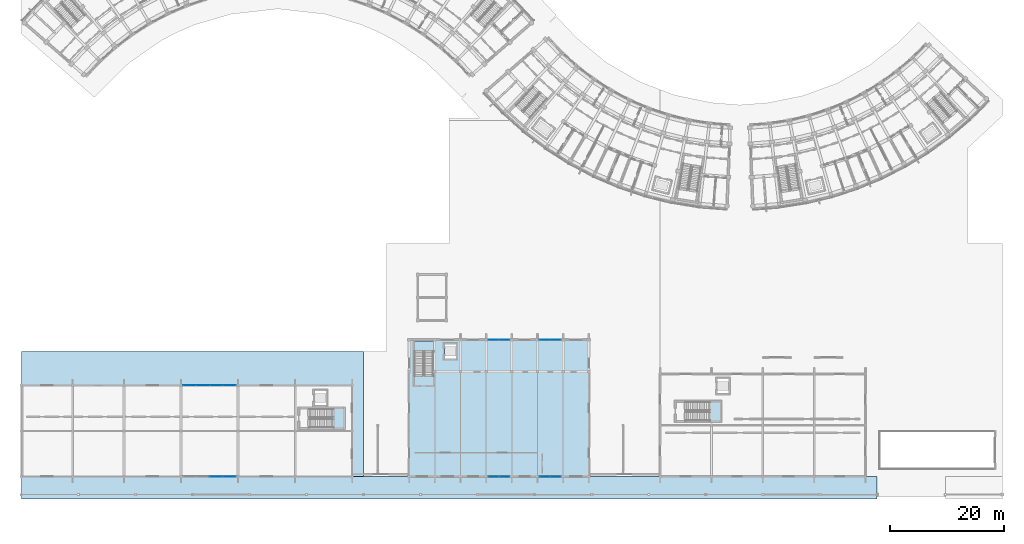
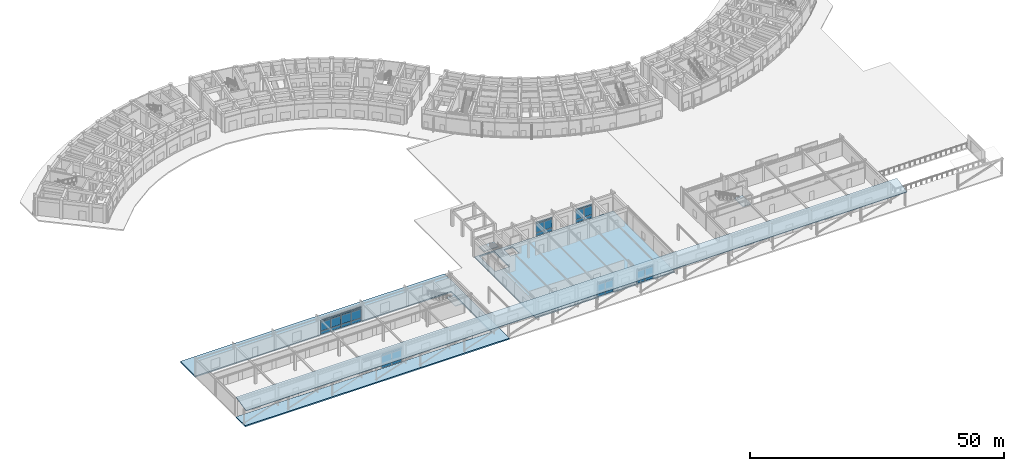
# One storey, part 20 of 61: 42 plates, 6 slabs, 9 elements without a shape of their own.
"""IFC4 building model written with IfcOpenShell, lengths in metres."""

from ifc_helpers import new_model, si_unit, direction, frame, origin, origin_2d, place, context, subcontext, project, spatial, polyline, rectangle, outline, extrude, material, layer, layer_set, type_object, element, aggregate, save


model = new_model("IFC4")

# Units and contexts
model_context = context("Model", 3, precision=1e-05, world=origin(), true_north=direction((0.0, 1.0)))
body_context = subcontext(model_context, "Body", "Model", "MODEL_VIEW")
ifc_project = project(units=[si_unit("LENGTHUNIT", "METRE"), si_unit("AREAUNIT", "SQUARE_METRE"), si_unit("VOLUMEUNIT", "CUBIC_METRE"), si_unit("PLANEANGLEUNIT", "RADIAN"), si_unit("MASSUNIT", "GRAM", prefix="KILO")], contexts=[model_context])

# Site, building, storey
site_placement = place(None, origin())
site = spatial("IfcSite", under=ifc_project, at=site_placement, CompositionType="ELEMENT")
building_placement = place(site_placement, origin())
building = spatial("IfcBuilding", under=site, at=building_placement, Name="Zimvara Arc Housing Community", CompositionType="ELEMENT")
storey_placement = place(building_placement, origin())
storey = spatial("IfcBuildingStorey", under=building, at=storey_placement, Name="L00", CompositionType="ELEMENT", Elevation=0.0)

# Curtain wall, plates
ifc_material_1 = material(Name="Anodised Aluminium AW-6063", Category="aluminium")
curtain_wall_type_1 = type_object("IfcCurtainWallType", Name="CW-SYS-08", PredefinedType="USERDEFINED", material=ifc_material_1)
curtain_wall_1_placement = place(storey_placement, origin())
curtain_wall_1 = element("IfcCurtainWall", 1, at=curtain_wall_1_placement, inside=storey, type_object=curtain_wall_type_1, Name="cw:hall:L00:south:b5", ObjectType="CURTAIN WALL", PredefinedType="USERDEFINED")
ifc_material_2 = material(Name="Pale-Gold Anodised Aluminium Spandrel Panel", Category="aluminium")
ifc_layer_1 = layer(ifc_material_2, 0.035888671875)
ifc_layer_set_1 = layer_set([ifc_layer_1], Name="Pale-Gold Anodised Aluminium Spandrel Panel")
plate_type_1 = type_object("IfcPlateType", Name="CWP-GLD-36", PredefinedType="CURTAIN_PANEL", material=ifc_layer_set_1)
plate_1_placement = place(storey_placement, frame((91.8212890625, 3.60009765625, 0.06494140625), z_axis=(0.0, 0.0, 1.0), x_axis=(1.0, 0.0, 0.0)))
plate_1 = element("IfcPlate", 2, at=plate_1_placement, type_object=plate_type_1, Name="CW08 panel 1.1", PredefinedType="CURTAIN_PANEL", context=body_context, shape_type="SweptSolid", body=[
    extrude(rectangle(XDim=1.79248046875, YDim=0.035888671875, at=origin_2d()), origin(), (0.0, 0.0, 1.0), 0.75244140625),
])
plate_2_placement = place(storey_placement, frame((91.8212890625, 3.60009765625, 0.88232421875), z_axis=(0.0, 0.0, 1.0), x_axis=(1.0, 0.0, 0.0)))
plate_2 = element("IfcPlate", 3, at=plate_2_placement, type_object=plate_type_1, Name="CW08 panel 1.2", PredefinedType="CURTAIN_PANEL", context=body_context, shape_type="SweptSolid", body=[
    extrude(rectangle(XDim=1.79248046875, YDim=0.035888671875, at=origin_2d()), origin(), (0.0, 0.0, 1.0), 2.135009765625),
])
plate_3_placement = place(storey_placement, frame((91.8212890625, 3.60009765625, 3.08251953125), z_axis=(0.0, 0.0, 1.0), x_axis=(1.0, 0.0, 0.0)))
plate_3 = element("IfcPlate", 4, at=plate_3_placement, type_object=plate_type_1, Name="CW08 panel 1.3", PredefinedType="CURTAIN_PANEL", context=body_context, shape_type="SweptSolid", body=[
    extrude(rectangle(XDim=1.79248046875, YDim=0.035888671875, at=origin_2d()), origin(), (0.0, 0.0, 1.0), 0.3525390625),
])
plate_4_placement = place(storey_placement, frame((93.6787109375, 3.60009765625, 0.06494140625), z_axis=(0.0, 0.0, 1.0), x_axis=(1.0, 0.0, 0.0)))
plate_4 = element("IfcPlate", 5, at=plate_4_placement, type_object=plate_type_1, Name="CW08 panel 2.1", PredefinedType="CURTAIN_PANEL", context=body_context, shape_type="SweptSolid", body=[
    extrude(rectangle(XDim=1.79248046875, YDim=0.035888671875, at=origin_2d()), origin(), (0.0, 0.0, 1.0), 0.75244140625),
])
plate_5_placement = place(storey_placement, frame((93.6787109375, 3.60009765625, 0.88232421875), z_axis=(0.0, 0.0, 1.0), x_axis=(1.0, 0.0, 0.0)))
plate_5 = element("IfcPlate", 6, at=plate_5_placement, type_object=plate_type_1, Name="CW08 panel 2.2", PredefinedType="CURTAIN_PANEL", context=body_context, shape_type="SweptSolid", body=[
    extrude(rectangle(XDim=1.79248046875, YDim=0.035888671875, at=origin_2d()), origin(), (0.0, 0.0, 1.0), 2.135009765625),
])
plate_6_placement = place(storey_placement, frame((93.6787109375, 3.60009765625, 3.08251953125), z_axis=(0.0, 0.0, 1.0), x_axis=(1.0, 0.0, 0.0)))
plate_6 = element("IfcPlate", 7, at=plate_6_placement, type_object=plate_type_1, Name="CW08 panel 2.3", PredefinedType="CURTAIN_PANEL", context=body_context, shape_type="SweptSolid", body=[
    extrude(rectangle(XDim=1.79248046875, YDim=0.035888671875, at=origin_2d()), origin(), (0.0, 0.0, 1.0), 0.3525390625),
])
aggregate(curtain_wall_1, [plate_1, plate_2, plate_3, plate_4, plate_5, plate_6])

ifc_material_3 = material(Name="Anodised Aluminium AW-6063", Category="aluminium")
curtain_wall_type_2 = type_object("IfcCurtainWallType", Name="CW-SYS-01", PredefinedType="USERDEFINED", material=ifc_material_3)
curtain_wall_2_placement = place(storey_placement, origin())
curtain_wall_2 = element("IfcCurtainWall", 8, at=curtain_wall_2_placement, inside=storey, type_object=curtain_wall_type_2, Name="cw:hall:L00:north:b3", ObjectType="CURTAIN WALL", PredefinedType="USERDEFINED")
ifc_material_4 = material(Name="Solar Control Low-E Double Glazing", Category="glass")
ifc_layer_2 = layer(ifc_material_4, 0.02392578125)
ifc_layer_set_2 = layer_set([ifc_layer_2], Name="Solar Control Low-E Double Glazing")
plate_type_2 = type_object("IfcPlateType", Name="CWP-GLZ-24", PredefinedType="CURTAIN_PANEL", material=ifc_layer_set_2)
plate_7_placement = place(storey_placement, frame((82.8212890625, 27.60009765625, 0.06494140625), z_axis=(0.0, 0.0, 1.0), x_axis=(1.0, 0.0, 0.0)))
plate_7 = element("IfcPlate", 9, at=plate_7_placement, type_object=plate_type_2, Name="CW01 panel 1.1", PredefinedType="CURTAIN_PANEL", context=body_context, shape_type="SweptSolid", body=[
    extrude(rectangle(XDim=1.79248046875, YDim=0.02392578125, at=origin_2d()), origin(), (0.0, 0.0, 1.0), 0.75244140625),
])
plate_8_placement = place(storey_placement, frame((82.8212890625, 27.60009765625, 0.88232421875), z_axis=(0.0, 0.0, 1.0), x_axis=(1.0, 0.0, 0.0)))
plate_8 = element("IfcPlate", 10, at=plate_8_placement, type_object=plate_type_2, Name="CW01 panel 1.2", PredefinedType="CURTAIN_PANEL", context=body_context, shape_type="SweptSolid", body=[
    extrude(rectangle(XDim=1.79248046875, YDim=0.02392578125, at=origin_2d()), origin(), (0.0, 0.0, 1.0), 2.135009765625),
])
plate_9_placement = place(storey_placement, frame((82.8212890625, 27.60009765625, 3.08251953125), z_axis=(0.0, 0.0, 1.0), x_axis=(1.0, 0.0, 0.0)))
plate_9 = element("IfcPlate", 11, at=plate_9_placement, type_object=plate_type_2, Name="CW01 panel 1.3", PredefinedType="CURTAIN_PANEL", context=body_context, shape_type="SweptSolid", body=[
    extrude(rectangle(XDim=1.79248046875, YDim=0.02392578125, at=origin_2d()), origin(), (0.0, 0.0, 1.0), 0.3525390625),
])
plate_10_placement = place(storey_placement, frame((84.6787109375, 27.60009765625, 0.06494140625), z_axis=(0.0, 0.0, 1.0), x_axis=(1.0, 0.0, 0.0)))
plate_10 = element("IfcPlate", 12, at=plate_10_placement, type_object=plate_type_2, Name="CW01 panel 2.1", PredefinedType="CURTAIN_PANEL", context=body_context, shape_type="SweptSolid", body=[
    extrude(rectangle(XDim=1.79248046875, YDim=0.02392578125, at=origin_2d()), origin(), (0.0, 0.0, 1.0), 0.75244140625),
])
plate_11_placement = place(storey_placement, frame((84.6787109375, 27.60009765625, 0.88232421875), z_axis=(0.0, 0.0, 1.0), x_axis=(1.0, 0.0, 0.0)))
plate_11 = element("IfcPlate", 13, at=plate_11_placement, type_object=plate_type_2, Name="CW01 panel 2.2", PredefinedType="CURTAIN_PANEL", context=body_context, shape_type="SweptSolid", body=[
    extrude(rectangle(XDim=1.79248046875, YDim=0.02392578125, at=origin_2d()), origin(), (0.0, 0.0, 1.0), 2.135009765625),
])
plate_12_placement = place(storey_placement, frame((84.6787109375, 27.60009765625, 3.08251953125), z_axis=(0.0, 0.0, 1.0), x_axis=(1.0, 0.0, 0.0)))
plate_12 = element("IfcPlate", 14, at=plate_12_placement, type_object=plate_type_2, Name="CW01 panel 2.3", PredefinedType="CURTAIN_PANEL", context=body_context, shape_type="SweptSolid", body=[
    extrude(rectangle(XDim=1.79248046875, YDim=0.02392578125, at=origin_2d()), origin(), (0.0, 0.0, 1.0), 0.3525390625),
])
aggregate(curtain_wall_2, [plate_7, plate_8, plate_9, plate_10, plate_11, plate_12])

ifc_material_5 = material(Name="Anodised Aluminium AW-6063", Category="aluminium")
curtain_wall_type_3 = type_object("IfcCurtainWallType", Name="CW-SYS-05", PredefinedType="USERDEFINED", material=ifc_material_5)
curtain_wall_3_placement = place(storey_placement, origin())
curtain_wall_3 = element("IfcCurtainWall", 15, at=curtain_wall_3_placement, inside=storey, type_object=curtain_wall_type_3, Name="cw:shops:L00:south:b3", ObjectType="CURTAIN WALL", PredefinedType="USERDEFINED")
plate_13_placement = place(storey_placement, frame((34.159912109375, 3.60009765625, 0.06494140625), z_axis=(0.0, 0.0, 1.0), x_axis=(1.0, 0.0, 0.0)))
plate_13 = element("IfcPlate", 16, at=plate_13_placement, type_object=plate_type_2, Name="CW05 panel 3.1", PredefinedType="CURTAIN_PANEL", context=body_context, shape_type="SweptSolid", body=[
    extrude(rectangle(XDim=2.2548828125, YDim=0.02392578125, at=origin_2d()), origin(), (0.0, 0.0, 1.0), 0.75244140625),
])
plate_14_placement = place(storey_placement, frame((34.159912109375, 3.60009765625, 0.88232421875), z_axis=(0.0, 0.0, 1.0), x_axis=(1.0, 0.0, 0.0)))
plate_14 = element("IfcPlate", 17, at=plate_14_placement, type_object=plate_type_2, Name="CW05 panel 3.2", PredefinedType="CURTAIN_PANEL", context=body_context, shape_type="SweptSolid", body=[
    extrude(rectangle(XDim=2.2548828125, YDim=0.02392578125, at=origin_2d()), origin(), (0.0, 0.0, 1.0), 2.135009765625),
])
plate_15_placement = place(storey_placement, frame((34.159912109375, 3.60009765625, 3.08251953125), z_axis=(0.0, 0.0, 1.0), x_axis=(1.0, 0.0, 0.0)))
plate_15 = element("IfcPlate", 18, at=plate_15_placement, type_object=plate_type_2, Name="CW05 panel 3.3", PredefinedType="CURTAIN_PANEL", context=body_context, shape_type="SweptSolid", body=[
    extrude(rectangle(XDim=2.2548828125, YDim=0.02392578125, at=origin_2d()), origin(), (0.0, 0.0, 1.0), 0.3525390625),
])
plate_16_placement = place(storey_placement, frame((36.4638671875, 3.60009765625, 0.06494140625), z_axis=(0.0, 0.0, 1.0), x_axis=(1.0, 0.0, 0.0)))
plate_16 = element("IfcPlate", 19, at=plate_16_placement, type_object=plate_type_2, Name="CW05 panel 4.1", PredefinedType="CURTAIN_PANEL", context=body_context, shape_type="SweptSolid", body=[
    extrude(rectangle(XDim=2.222412109375, YDim=0.02392578125, at=origin_2d()), origin(), (0.0, 0.0, 1.0), 0.75244140625),
])
plate_17_placement = place(storey_placement, frame((36.4638671875, 3.60009765625, 0.88232421875), z_axis=(0.0, 0.0, 1.0), x_axis=(1.0, 0.0, 0.0)))
plate_17 = element("IfcPlate", 20, at=plate_17_placement, type_object=plate_type_2, Name="CW05 panel 4.2", PredefinedType="CURTAIN_PANEL", context=body_context, shape_type="SweptSolid", body=[
    extrude(rectangle(XDim=2.222412109375, YDim=0.02392578125, at=origin_2d()), origin(), (0.0, 0.0, 1.0), 2.135009765625),
])
plate_18_placement = place(storey_placement, frame((36.4638671875, 3.60009765625, 3.08251953125), z_axis=(0.0, 0.0, 1.0), x_axis=(1.0, 0.0, 0.0)))
plate_18 = element("IfcPlate", 21, at=plate_18_placement, type_object=plate_type_2, Name="CW05 panel 4.3", PredefinedType="CURTAIN_PANEL", context=body_context, shape_type="SweptSolid", body=[
    extrude(rectangle(XDim=2.222412109375, YDim=0.02392578125, at=origin_2d()), origin(), (0.0, 0.0, 1.0), 0.3525390625),
])
aggregate(curtain_wall_3, [plate_13, plate_14, plate_15, plate_16, plate_17, plate_18])

ifc_material_6 = material(Name="Anodised Aluminium AW-6063", Category="aluminium")
curtain_wall_type_4 = type_object("IfcCurtainWallType", Name="CW-SYS-02", PredefinedType="USERDEFINED", material=ifc_material_6)
curtain_wall_4_placement = place(storey_placement, origin())
curtain_wall_4 = element("IfcCurtainWall", 22, at=curtain_wall_4_placement, inside=storey, type_object=curtain_wall_type_4, Name="cw:hall:L00:north:b5", ObjectType="CURTAIN WALL", PredefinedType="USERDEFINED")
ifc_material_7 = material(Name="Solar Control Low-E Double Glazing", Category="glass")
ifc_layer_3 = layer(ifc_material_7, 0.028076171875)
ifc_layer_set_3 = layer_set([ifc_layer_3], Name="Solar Control Low-E Double Glazing")
plate_type_3 = type_object("IfcPlateType", Name="CWP-GLZ-28", PredefinedType="CURTAIN_PANEL", material=ifc_layer_set_3)
plate_19_placement = place(storey_placement, frame((91.8212890625, 27.60009765625, 0.06494140625), z_axis=(0.0, 0.0, 1.0), x_axis=(1.0, 0.0, 0.0)))
plate_19 = element("IfcPlate", 23, at=plate_19_placement, type_object=plate_type_3, Name="CW02 panel 1.1", PredefinedType="CURTAIN_PANEL", context=body_context, shape_type="SweptSolid", body=[
    extrude(rectangle(XDim=1.79248046875, YDim=0.028076171875, at=origin_2d()), origin(), (0.0, 0.0, 1.0), 0.75244140625),
])
plate_20_placement = place(storey_placement, frame((91.8212890625, 27.60009765625, 0.88232421875), z_axis=(0.0, 0.0, 1.0), x_axis=(1.0, 0.0, 0.0)))
plate_20 = element("IfcPlate", 24, at=plate_20_placement, type_object=plate_type_3, Name="CW02 panel 1.2", PredefinedType="CURTAIN_PANEL", context=body_context, shape_type="SweptSolid", body=[
    extrude(rectangle(XDim=1.79248046875, YDim=0.028076171875, at=origin_2d()), origin(), (0.0, 0.0, 1.0), 2.135009765625),
])
plate_21_placement = place(storey_placement, frame((91.8212890625, 27.60009765625, 3.08251953125), z_axis=(0.0, 0.0, 1.0), x_axis=(1.0, 0.0, 0.0)))
plate_21 = element("IfcPlate", 25, at=plate_21_placement, type_object=plate_type_3, Name="CW02 panel 1.3", PredefinedType="CURTAIN_PANEL", context=body_context, shape_type="SweptSolid", body=[
    extrude(rectangle(XDim=1.79248046875, YDim=0.028076171875, at=origin_2d()), origin(), (0.0, 0.0, 1.0), 0.3525390625),
])
plate_22_placement = place(storey_placement, frame((93.6787109375, 27.60009765625, 0.06494140625), z_axis=(0.0, 0.0, 1.0), x_axis=(1.0, 0.0, 0.0)))
plate_22 = element("IfcPlate", 26, at=plate_22_placement, type_object=plate_type_3, Name="CW02 panel 2.1", PredefinedType="CURTAIN_PANEL", context=body_context, shape_type="SweptSolid", body=[
    extrude(rectangle(XDim=1.79248046875, YDim=0.028076171875, at=origin_2d()), origin(), (0.0, 0.0, 1.0), 0.75244140625),
])
plate_23_placement = place(storey_placement, frame((93.6787109375, 27.60009765625, 0.88232421875), z_axis=(0.0, 0.0, 1.0), x_axis=(1.0, 0.0, 0.0)))
plate_23 = element("IfcPlate", 27, at=plate_23_placement, type_object=plate_type_3, Name="CW02 panel 2.2", PredefinedType="CURTAIN_PANEL", context=body_context, shape_type="SweptSolid", body=[
    extrude(rectangle(XDim=1.79248046875, YDim=0.028076171875, at=origin_2d()), origin(), (0.0, 0.0, 1.0), 2.135009765625),
])
plate_24_placement = place(storey_placement, frame((93.6787109375, 27.60009765625, 3.08251953125), z_axis=(0.0, 0.0, 1.0), x_axis=(1.0, 0.0, 0.0)))
plate_24 = element("IfcPlate", 28, at=plate_24_placement, type_object=plate_type_3, Name="CW02 panel 2.3", PredefinedType="CURTAIN_PANEL", context=body_context, shape_type="SweptSolid", body=[
    extrude(rectangle(XDim=1.79248046875, YDim=0.028076171875, at=origin_2d()), origin(), (0.0, 0.0, 1.0), 0.3525390625),
])
aggregate(curtain_wall_4, [plate_19, plate_20, plate_21, plate_22, plate_23, plate_24])

ifc_material_8 = material(Name="Anodised Aluminium AW-6063", Category="aluminium")
curtain_wall_type_5 = type_object("IfcCurtainWallType", Name="CW-SYS-06", PredefinedType="USERDEFINED", material=ifc_material_8)
curtain_wall_5_placement = place(storey_placement, origin())
curtain_wall_5 = element("IfcCurtainWall", 29, at=curtain_wall_5_placement, inside=storey, type_object=curtain_wall_type_5, Name="cw:shops:L00:north:b3", ObjectType="CURTAIN WALL", PredefinedType="USERDEFINED")
plate_25_placement = place(storey_placement, frame((29.5361328125, 19.60009765625, 0.06494140625), z_axis=(0.0, 0.0, 1.0), x_axis=(1.0, 0.0, 0.0)))
plate_25 = element("IfcPlate", 30, at=plate_25_placement, type_object=plate_type_3, Name="CW06 panel 1.1", PredefinedType="CURTAIN_PANEL", context=body_context, shape_type="SweptSolid", body=[
    extrude(rectangle(XDim=2.222412109375, YDim=0.028076171875, at=origin_2d()), origin(), (0.0, 0.0, 1.0), 0.75244140625),
])
plate_26_placement = place(storey_placement, frame((29.5361328125, 19.60009765625, 0.88232421875), z_axis=(0.0, 0.0, 1.0), x_axis=(1.0, 0.0, 0.0)))
plate_26 = element("IfcPlate", 31, at=plate_26_placement, type_object=plate_type_3, Name="CW06 panel 1.2", PredefinedType="CURTAIN_PANEL", context=body_context, shape_type="SweptSolid", body=[
    extrude(rectangle(XDim=2.222412109375, YDim=0.028076171875, at=origin_2d()), origin(), (0.0, 0.0, 1.0), 2.135009765625),
])
plate_27_placement = place(storey_placement, frame((29.5361328125, 19.60009765625, 3.08251953125), z_axis=(0.0, 0.0, 1.0), x_axis=(1.0, 0.0, 0.0)))
plate_27 = element("IfcPlate", 32, at=plate_27_placement, type_object=plate_type_3, Name="CW06 panel 1.3", PredefinedType="CURTAIN_PANEL", context=body_context, shape_type="SweptSolid", body=[
    extrude(rectangle(XDim=2.222412109375, YDim=0.028076171875, at=origin_2d()), origin(), (0.0, 0.0, 1.0), 0.3525390625),
])
plate_28_placement = place(storey_placement, frame((31.840087890625, 19.60009765625, 0.06494140625), z_axis=(0.0, 0.0, 1.0), x_axis=(1.0, 0.0, 0.0)))
plate_28 = element("IfcPlate", 33, at=plate_28_placement, type_object=plate_type_3, Name="CW06 panel 2.1", PredefinedType="CURTAIN_PANEL", context=body_context, shape_type="SweptSolid", body=[
    extrude(rectangle(XDim=2.2548828125, YDim=0.028076171875, at=origin_2d()), origin(), (0.0, 0.0, 1.0), 0.75244140625),
])
plate_29_placement = place(storey_placement, frame((31.840087890625, 19.60009765625, 0.88232421875), z_axis=(0.0, 0.0, 1.0), x_axis=(1.0, 0.0, 0.0)))
plate_29 = element("IfcPlate", 34, at=plate_29_placement, type_object=plate_type_3, Name="CW06 panel 2.2", PredefinedType="CURTAIN_PANEL", context=body_context, shape_type="SweptSolid", body=[
    extrude(rectangle(XDim=2.2548828125, YDim=0.028076171875, at=origin_2d()), origin(), (0.0, 0.0, 1.0), 2.135009765625),
])
plate_30_placement = place(storey_placement, frame((31.840087890625, 19.60009765625, 3.08251953125), z_axis=(0.0, 0.0, 1.0), x_axis=(1.0, 0.0, 0.0)))
plate_30 = element("IfcPlate", 35, at=plate_30_placement, type_object=plate_type_3, Name="CW06 panel 2.3", PredefinedType="CURTAIN_PANEL", context=body_context, shape_type="SweptSolid", body=[
    extrude(rectangle(XDim=2.2548828125, YDim=0.028076171875, at=origin_2d()), origin(), (0.0, 0.0, 1.0), 0.3525390625),
])
plate_31_placement = place(storey_placement, frame((34.159912109375, 19.60009765625, 0.06494140625), z_axis=(0.0, 0.0, 1.0), x_axis=(1.0, 0.0, 0.0)))
plate_31 = element("IfcPlate", 36, at=plate_31_placement, type_object=plate_type_3, Name="CW06 panel 3.1", PredefinedType="CURTAIN_PANEL", context=body_context, shape_type="SweptSolid", body=[
    extrude(rectangle(XDim=2.2548828125, YDim=0.028076171875, at=origin_2d()), origin(), (0.0, 0.0, 1.0), 0.75244140625),
])
plate_32_placement = place(storey_placement, frame((34.159912109375, 19.60009765625, 0.88232421875), z_axis=(0.0, 0.0, 1.0), x_axis=(1.0, 0.0, 0.0)))
plate_32 = element("IfcPlate", 37, at=plate_32_placement, type_object=plate_type_3, Name="CW06 panel 3.2", PredefinedType="CURTAIN_PANEL", context=body_context, shape_type="SweptSolid", body=[
    extrude(rectangle(XDim=2.2548828125, YDim=0.028076171875, at=origin_2d()), origin(), (0.0, 0.0, 1.0), 2.135009765625),
])
plate_33_placement = place(storey_placement, frame((34.159912109375, 19.60009765625, 3.08251953125), z_axis=(0.0, 0.0, 1.0), x_axis=(1.0, 0.0, 0.0)))
plate_33 = element("IfcPlate", 38, at=plate_33_placement, type_object=plate_type_3, Name="CW06 panel 3.3", PredefinedType="CURTAIN_PANEL", context=body_context, shape_type="SweptSolid", body=[
    extrude(rectangle(XDim=2.2548828125, YDim=0.028076171875, at=origin_2d()), origin(), (0.0, 0.0, 1.0), 0.3525390625),
])
plate_34_placement = place(storey_placement, frame((36.4638671875, 19.60009765625, 0.06494140625), z_axis=(0.0, 0.0, 1.0), x_axis=(1.0, 0.0, 0.0)))
plate_34 = element("IfcPlate", 39, at=plate_34_placement, type_object=plate_type_3, Name="CW06 panel 4.1", PredefinedType="CURTAIN_PANEL", context=body_context, shape_type="SweptSolid", body=[
    extrude(rectangle(XDim=2.222412109375, YDim=0.028076171875, at=origin_2d()), origin(), (0.0, 0.0, 1.0), 0.75244140625),
])
plate_35_placement = place(storey_placement, frame((36.4638671875, 19.60009765625, 0.88232421875), z_axis=(0.0, 0.0, 1.0), x_axis=(1.0, 0.0, 0.0)))
plate_35 = element("IfcPlate", 40, at=plate_35_placement, type_object=plate_type_3, Name="CW06 panel 4.2", PredefinedType="CURTAIN_PANEL", context=body_context, shape_type="SweptSolid", body=[
    extrude(rectangle(XDim=2.222412109375, YDim=0.028076171875, at=origin_2d()), origin(), (0.0, 0.0, 1.0), 2.135009765625),
])
plate_36_placement = place(storey_placement, frame((36.4638671875, 19.60009765625, 3.08251953125), z_axis=(0.0, 0.0, 1.0), x_axis=(1.0, 0.0, 0.0)))
plate_36 = element("IfcPlate", 41, at=plate_36_placement, type_object=plate_type_3, Name="CW06 panel 4.3", PredefinedType="CURTAIN_PANEL", context=body_context, shape_type="SweptSolid", body=[
    extrude(rectangle(XDim=2.222412109375, YDim=0.028076171875, at=origin_2d()), origin(), (0.0, 0.0, 1.0), 0.3525390625),
])
aggregate(curtain_wall_5, [plate_25, plate_26, plate_27, plate_28, plate_29, plate_30, plate_31, plate_32, plate_33, plate_34, plate_35, plate_36])

ifc_material_9 = material(Name="Anodised Aluminium AW-6063", Category="aluminium")
curtain_wall_type_6 = type_object("IfcCurtainWallType", Name="CW-SYS-07", PredefinedType="USERDEFINED", material=ifc_material_9)
curtain_wall_6_placement = place(storey_placement, origin())
curtain_wall_6 = element("IfcCurtainWall", 42, at=curtain_wall_6_placement, inside=storey, type_object=curtain_wall_type_6, Name="cw:hall:L00:south:b3", ObjectType="CURTAIN WALL", PredefinedType="USERDEFINED")
ifc_material_10 = material(Name="Acoustic Laminated Solar Glazing", Category="glass")
ifc_layer_4 = layer(ifc_material_10, 0.031982421875)
ifc_layer_set_4 = layer_set([ifc_layer_4], Name="Acoustic Laminated Solar Glazing")
plate_type_4 = type_object("IfcPlateType", Name="CWP-GLZ-32", PredefinedType="CURTAIN_PANEL", material=ifc_layer_set_4)
plate_37_placement = place(storey_placement, frame((82.8212890625, 3.60009765625, 0.06494140625), z_axis=(0.0, 0.0, 1.0), x_axis=(1.0, 0.0, 0.0)))
plate_37 = element("IfcPlate", 43, at=plate_37_placement, type_object=plate_type_4, Name="CW07 panel 1.1", PredefinedType="CURTAIN_PANEL", context=body_context, shape_type="SweptSolid", body=[
    extrude(rectangle(XDim=1.79248046875, YDim=0.031982421875, at=origin_2d()), origin(), (0.0, 0.0, 1.0), 0.75244140625),
])
plate_38_placement = place(storey_placement, frame((82.8212890625, 3.60009765625, 0.88232421875), z_axis=(0.0, 0.0, 1.0), x_axis=(1.0, 0.0, 0.0)))
plate_38 = element("IfcPlate", 44, at=plate_38_placement, type_object=plate_type_4, Name="CW07 panel 1.2", PredefinedType="CURTAIN_PANEL", context=body_context, shape_type="SweptSolid", body=[
    extrude(rectangle(XDim=1.79248046875, YDim=0.031982421875, at=origin_2d()), origin(), (0.0, 0.0, 1.0), 2.135009765625),
])
plate_39_placement = place(storey_placement, frame((82.8212890625, 3.60009765625, 3.08251953125), z_axis=(0.0, 0.0, 1.0), x_axis=(1.0, 0.0, 0.0)))
plate_39 = element("IfcPlate", 45, at=plate_39_placement, type_object=plate_type_4, Name="CW07 panel 1.3", PredefinedType="CURTAIN_PANEL", context=body_context, shape_type="SweptSolid", body=[
    extrude(rectangle(XDim=1.79248046875, YDim=0.031982421875, at=origin_2d()), origin(), (0.0, 0.0, 1.0), 0.3525390625),
])
plate_40_placement = place(storey_placement, frame((84.6787109375, 3.60009765625, 0.06494140625), z_axis=(0.0, 0.0, 1.0), x_axis=(1.0, 0.0, 0.0)))
plate_40 = element("IfcPlate", 46, at=plate_40_placement, type_object=plate_type_4, Name="CW07 panel 2.1", PredefinedType="CURTAIN_PANEL", context=body_context, shape_type="SweptSolid", body=[
    extrude(rectangle(XDim=1.79248046875, YDim=0.031982421875, at=origin_2d()), origin(), (0.0, 0.0, 1.0), 0.75244140625),
])
plate_41_placement = place(storey_placement, frame((84.6787109375, 3.60009765625, 0.88232421875), z_axis=(0.0, 0.0, 1.0), x_axis=(1.0, 0.0, 0.0)))
plate_41 = element("IfcPlate", 47, at=plate_41_placement, type_object=plate_type_4, Name="CW07 panel 2.2", PredefinedType="CURTAIN_PANEL", context=body_context, shape_type="SweptSolid", body=[
    extrude(rectangle(XDim=1.79248046875, YDim=0.031982421875, at=origin_2d()), origin(), (0.0, 0.0, 1.0), 2.135009765625),
])
plate_42_placement = place(storey_placement, frame((84.6787109375, 3.60009765625, 3.08251953125), z_axis=(0.0, 0.0, 1.0), x_axis=(1.0, 0.0, 0.0)))
plate_42 = element("IfcPlate", 48, at=plate_42_placement, type_object=plate_type_4, Name="CW07 panel 2.3", PredefinedType="CURTAIN_PANEL", context=body_context, shape_type="SweptSolid", body=[
    extrude(rectangle(XDim=1.79248046875, YDim=0.031982421875, at=origin_2d()), origin(), (0.0, 0.0, 1.0), 0.3525390625),
])
aggregate(curtain_wall_6, [plate_37, plate_38, plate_39, plate_40, plate_41, plate_42])

# Slabs
ifc_material_11 = material(Name="Concrete C40/50", Category="concrete")
ifc_layer_5 = layer(ifc_material_11, 0.1650390625)
ifc_layer_set_5 = layer_set([ifc_layer_5], Name="Concrete C40/50")
slab_type_1 = type_object("IfcSlabType", Name="SLB-COL-ROOF-165", PredefinedType="ROOF", material=ifc_layer_set_5)
slab_1_placement = place(storey_placement, frame((0.0, -0.35009765625, 3.820068359375), z_axis=(0.0, -0.217415880045, 0.976079061913), x_axis=(1.0, 0.0, 0.0)))
element("IfcSlab", 49, at=slab_1_placement, inside=storey, type_object=slab_type_1, Name="roof:colonnade:s1", PredefinedType="ROOF", context=body_context, shape_type="SweptSolid", body=[
    extrude(outline(polyline([(0.0, 0.0), (150.0, 0.0), (150.0, 4.047003431012862), (0.0, 4.047003431012862), (0.0, 0.0)])), origin(), (0.0, 0.0, -1.0), 0.1650390625),
])
ifc_material_12 = material(Name="Concrete C40/50", Category="concrete")
ifc_layer_6 = layer(ifc_material_12, 0.300048828125)
ifc_layer_set_6 = layer_set([ifc_layer_6], Name="Concrete C40/50")
slab_type_2 = type_object("IfcSlabType", Name="SLB-POD-300", PredefinedType="FLOOR", material=ifc_layer_set_6)
slab_2_placement = place(storey_placement, frame((0.0, 0.0, -0.300048828125)))
element("IfcSlab", 50, at=slab_2_placement, inside=storey, type_object=slab_type_2, Name="slab:hall:L00:floor", PredefinedType="FLOOR", context=body_context, shape_type="SweptSolid", body=[
    extrude(outline(polyline([(68.0, 3.60009765625), (99.5, 3.60009765625), (99.5, 27.60009765625), (68.0, 27.60009765625), (68.0, 3.60009765625)]), holes=[polyline([(68.93994140625, 21.22998046875), (68.93994140625, 27.35009765625), (72.219970703125, 27.35009765625), (72.219970703125, 21.22998046875), (68.93994140625, 21.22998046875)]), polyline([(74.199951171875, 26.840087890625), (76.239990234375, 26.840087890625), (76.239990234375, 24.300048828125), (74.199951171875, 24.300048828125), (74.199951171875, 26.840087890625)])]), origin(), (0.0, 0.0, 1.0), 0.300048828125),
])
slab_3_placement = place(storey_placement, frame((0.0, 0.0, -0.300048828125)))
element("IfcSlab", 51, at=slab_3_placement, inside=storey, type_object=slab_type_2, Name="slab:L00:plaza:1", PredefinedType="FLOOR", context=body_context, shape_type="SweptSolid", body=[
    extrude(outline(polyline([(59.989990234375, 0.0), (59.989990234375, 25.5), (0.0, 25.5), (0.0, 19.6201171875), (58.0, 19.6201171875), (58.001953125, 19.619873046875), (58.00390625, 19.61962890625), (58.005859375, 19.619140625), (58.007568359375, 19.618408203125), (58.009521484375, 19.61767578125), (58.01123046875, 19.61669921875), (58.0126953125, 19.615478515625), (58.01416015625, 19.6142578125), (58.015380859375, 19.61279296875), (58.0166015625, 19.611083984375), (58.017578125, 19.609375), (58.0185546875, 19.607666015625), (58.01904296875, 19.605712890625), (58.01953125, 19.60400390625), (58.02001953125, 19.60205078125), (58.02001953125, 19.60009765625), (58.02001953125, 3.60009765625), (58.02001953125, 3.59814453125), (58.01953125, 3.59619140625), (58.01904296875, 3.59423828125), (58.0185546875, 3.59228515625), (58.017578125, 3.590576171875), (58.0166015625, 3.5888671875), (58.015380859375, 3.58740234375), (58.01416015625, 3.5859375), (58.0126953125, 3.58447265625), (58.01123046875, 3.583251953125), (58.009521484375, 3.582275390625), (58.007568359375, 3.58154296875), (58.005859375, 3.580810546875), (58.00390625, 3.580322265625), (58.001953125, 3.580078125), (58.0, 3.580078125), (0.0, 3.580078125), (0.0, 0.0), (59.989990234375, 0.0)])), origin(), (0.0, 0.0, 1.0), 0.300048828125),
])

# Stair, slab
ifc_material_13 = material(Name="Concrete C35/45", Category="concrete")
stair_type_1 = type_object("IfcStairType", Name="STR-DL-310-450", PredefinedType="HALF_TURN_STAIR", material=ifc_material_13)
stair_1_placement = place(storey_placement, origin())
stair_1 = element("IfcStair", 52, at=stair_1_placement, inside=storey, type_object=stair_type_1, Name="L00 Community Hall Stair ST-H1", PredefinedType="HALF_TURN_STAIR")
ifc_material_14 = material(Name="Concrete C35/45", Category="concrete")
ifc_layer_7 = layer(ifc_material_14, 0.199951171875)
ifc_layer_set_7 = layer_set([ifc_layer_7], Name="Concrete C35/45")
slab_type_3 = type_object("IfcSlabType", Name="SLB-STAIR-LND-200", PredefinedType="LANDING", material=ifc_layer_set_7)
slab_4_placement = place(storey_placement, frame((0.0, 0.0, 2.050048828125)))
slab_4 = element("IfcSlab", 53, at=slab_4_placement, type_object=slab_type_3, Name="ST-H1 landing 1", PredefinedType="LANDING", context=body_context, shape_type="SweptSolid", body=[
    extrude(outline(polyline([(72.260009765625, 25.530029296875), (72.260009765625, 27.389892578125), (68.89990234375, 27.389892578125), (68.89990234375, 25.530029296875), (72.260009765625, 25.530029296875)])), origin(), (0.0, 0.0, 1.0), 0.199951171875),
])
aggregate(stair_1, [slab_4])

ifc_material_15 = material(Name="Concrete C35/45", Category="concrete")
stair_type_2 = type_object("IfcStairType", Name="STR-DL-312-450", PredefinedType="HALF_TURN_STAIR", material=ifc_material_15)
stair_2_placement = place(storey_placement, origin())
stair_2 = element("IfcStair", 54, at=stair_2_placement, inside=storey, type_object=stair_type_2, Name="L00 Nursery Stair ST-N1", PredefinedType="HALF_TURN_STAIR")
slab_5_placement = place(storey_placement, frame((0.0, 0.0, 2.050048828125)))
slab_5 = element("IfcSlab", 55, at=slab_5_placement, type_object=slab_type_3, Name="ST-N1 landing 1", PredefinedType="LANDING", context=body_context, shape_type="SweptSolid", body=[
    extrude(outline(polyline([(120.7080078125, 13.360107421875), (122.5400390625, 13.360107421875), (122.5400390625, 16.719970703125), (120.7080078125, 16.719970703125), (120.7080078125, 13.360107421875)])), origin(), (0.0, 0.0, 1.0), 0.199951171875),
])
aggregate(stair_2, [slab_5])

stair_3_placement = place(storey_placement, origin())
stair_3 = element("IfcStair", 56, at=stair_3_placement, inside=storey, type_object=stair_type_1, Name="L00 Shops Wing Stair ST-S1", PredefinedType="HALF_TURN_STAIR")
slab_6_placement = place(storey_placement, frame((0.0, 0.0, 2.050048828125)))
slab_6 = element("IfcSlab", 57, at=slab_6_placement, type_object=slab_type_3, Name="ST-S1 landing 1", PredefinedType="LANDING", context=body_context, shape_type="SweptSolid", body=[
    extrude(outline(polyline([(54.679931640625, 12.159912109375), (56.5400390625, 12.159912109375), (56.5400390625, 15.52001953125), (54.679931640625, 15.52001953125), (54.679931640625, 12.159912109375)])), origin(), (0.0, 0.0, 1.0), 0.199951171875),
])
aggregate(stair_3, [slab_6])

save(model, "model.ifc")
